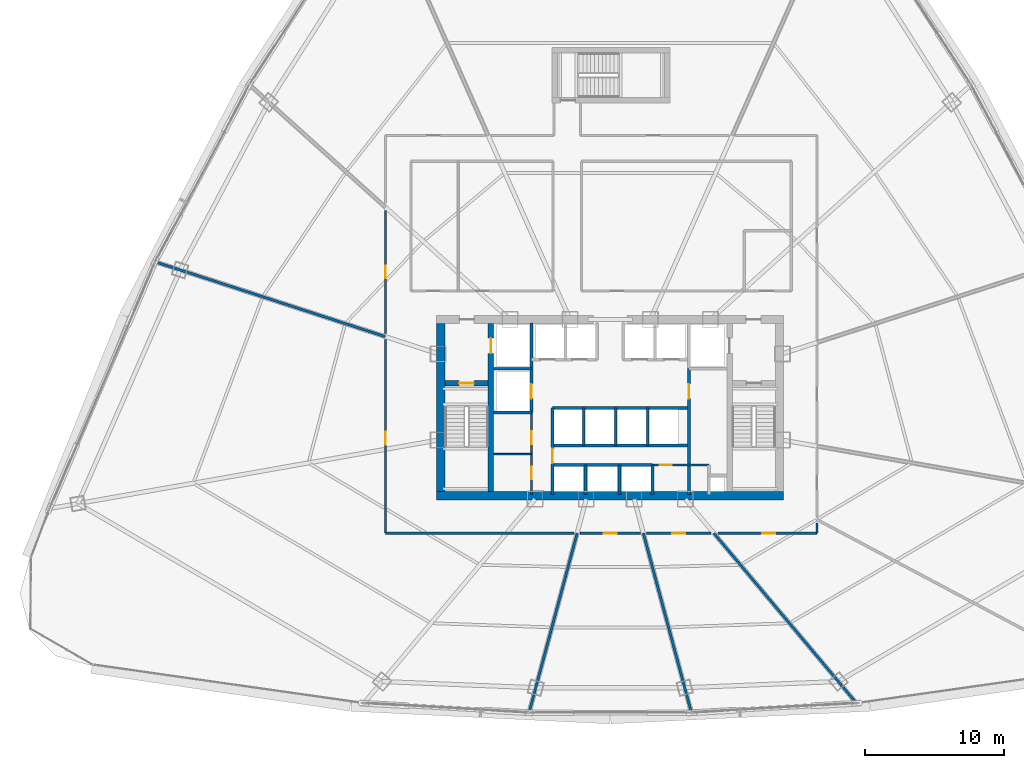
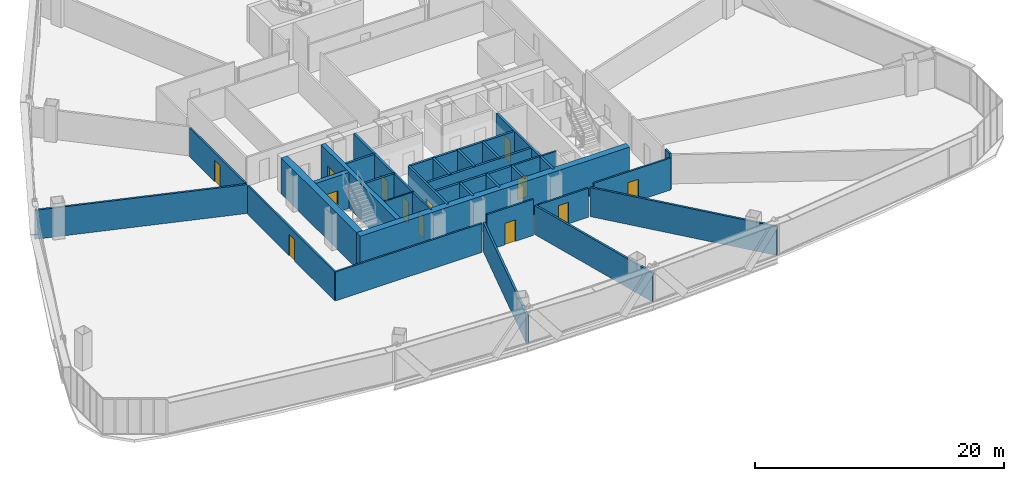
# One storey, part 32 of 39: 32 walls, 13 doors, 13 openings.
"""IFC4 building model written with IfcOpenShell, lengths in metres."""

from ifc_helpers import new_model, si_unit, direction, frame, frame_2d, origin, origin_with_axes, place, context, subcontext, project, spatial, rectangle, extrude, source, transform, mapped, material, layer, layer_set, type_object, element, fill, save


model = new_model("IFC4")

# Units and contexts
model_context = context("Model", 3, precision=1e-05, world=origin(), true_north=direction((0.0, 1.0)))
body_context = subcontext(model_context, "Body", "Model", "MODEL_VIEW")
ifc_project = project(units=[si_unit("LENGTHUNIT", "METRE"), si_unit("AREAUNIT", "SQUARE_METRE"), si_unit("VOLUMEUNIT", "CUBIC_METRE"), si_unit("PLANEANGLEUNIT", "RADIAN"), si_unit("MASSUNIT", "GRAM", prefix="KILO"), si_unit("THERMODYNAMICTEMPERATUREUNIT", "KELVIN"), si_unit("POWERUNIT", "WATT")], contexts=[model_context])

# Site, building, storey
site_placement = place(None, origin())
site = spatial("IfcSite", under=ifc_project, at=site_placement, CompositionType="ELEMENT")
building_placement = place(site_placement, origin())
building = spatial("IfcBuilding", under=site, at=building_placement, Name="Yunzhuo Pagoda Commons", CompositionType="ELEMENT")
storey_placement = place(building_placement, frame((0.0, 0.0, 92.580078125)))
storey = spatial("IfcBuildingStorey", under=building, at=storey_placement, Name="L23", CompositionType="ELEMENT", Elevation=92.580078125)

# Walls
ifc_material_1 = material(Name="Concrete C60", Category="concrete")
ifc_layer_1 = layer(ifc_material_1, 0.60009765625)
ifc_layer_set_1 = layer_set([ifc_layer_1], Name="Concrete C60")
wall_type_1 = type_object("IfcWallType", Name="W-C02 Mid Core Shear Wall 600", PredefinedType="SHEAR", material=ifc_layer_set_1)
wall_1_placement = place(storey_placement, frame((35.5, 27.5, 0.0), z_axis=(0.0, 0.0, 1.0), x_axis=(1.0, 0.0, 0.0)))
element("IfcWall", 1, at=wall_1_placement, inside=storey, type_object=wall_type_1, Name="L23 core shear wall S", PredefinedType="SHEAR", context=body_context, shape_type="SweptSolid", body=[
    extrude(rectangle(XDim=25.0, YDim=0.60009765625, at=frame_2d((12.5, 0.0))), origin(), (0.0, 0.0, 1.0), 3.5400390625),
])
wall_2_placement = place(storey_placement, frame((35.800048828125, 27.800048828125, 0.0), z_axis=(0.0, 0.0, 1.0), x_axis=(0.0, 1.0, 0.0)))
element("IfcWall", 2, at=wall_2_placement, inside=storey, type_object=wall_type_1, Name="L23 core shear wall W", PredefinedType="SHEAR", context=body_context, shape_type="SweptSolid", body=[
    extrude(rectangle(XDim=12.099853515625, YDim=0.60009765625, at=frame_2d((6.0498046875, 0.0))), origin(), (0.0, 0.0, 1.0), 3.5400390625),
])

# Wall, openings, doors
ifc_material_2 = material(Name="Gypsum plasterboard on acoustic stud")
ifc_layer_2 = layer(ifc_material_2, 0.159912109375)
ifc_layer_set_2 = layer_set([ifc_layer_2], Name="Gypsum plasterboard on acoustic stud")
wall_type_2 = type_object("IfcWallType", Name="W-COR1 Tower Rated Corridor Wall 160", PredefinedType="PARTITIONING", material=ifc_layer_set_2)
wall_3_placement = place(storey_placement, frame((42.320068359375, 27.60009765625, 0.0), z_axis=(0.0, 0.0, 1.0), x_axis=(0.0, 1.0, 0.0)))
wall_3 = element("IfcWall", 3, at=wall_3_placement, inside=storey, type_object=wall_type_2, Name="L23 interior wall IW-L23-CSWE", PredefinedType="PARTITIONING", context=body_context, shape_type="SweptSolid", body=[
    extrude(rectangle(XDim=5.89990234375, YDim=0.159912109375, at=frame_2d((2.949951171875, 0.0))), origin(), (0.0, 0.0, 1.0), 3.5400390625),
])
opening_1_placement = place(wall_3_placement, frame((1.10009765625, 0.0, 0.0)))
opening_1 = element("IfcOpeningElement", 4, at=opening_1_placement, cuts=wall_3, Name="Opening D-03", PredefinedType="OPENING", context=body_context, shape_type="SweptSolid", body=[
    extrude(rectangle(XDim=0.89990234375, YDim=2.10009765625, at=frame_2d((0.449951171875, 1.050048828125))), frame((0.0, 0.08984375, 0.0), z_axis=(0.0, -1.0, 0.0), x_axis=(1.0, 0.0, 0.0)), (0.0, 0.0, 1.0), 0.179931640625),
])
opening_2_placement = place(wall_3_placement, frame((3.60009765625, 0.0, 0.0)))
opening_2 = element("IfcOpeningElement", 5, at=opening_2_placement, cuts=wall_3, Name="Opening D-11", PredefinedType="OPENING", context=body_context, shape_type="SweptSolid", body=[
    extrude(rectangle(XDim=0.93994140625, YDim=2.10009765625, at=frame_2d((0.469970703125, 1.050048828125))), frame((0.0, 0.08984375, 0.0), z_axis=(0.0, -1.0, 0.0), x_axis=(1.0, 0.0, 0.0)), (0.0, 0.0, 1.0), 0.179931640625),
])
ifc_material_3 = material(Name="Galvanized fire-resisting metal leaf")
door_type_1 = type_object("IfcDoorType", Name="D-03 Core Service Fire Door 900x2100", OperationType="NOTDEFINED", PredefinedType="DOOR", material=ifc_material_3)
shared_shape_1 = source(origin(), body_context, "Body", "SweptSolid", [
    extrude(rectangle(XDim=0.89990234375, YDim=2.10009765625, at=frame_2d((0.449951171875, 1.050048828125))), frame((0.0, 0.02490234375, 0.0), z_axis=(0.0, -1.0, 0.0), x_axis=(1.0, 0.0, 0.0)), (0.0, 0.0, 1.0), 0.050048828125),
])
door_1_placement = place(opening_1_placement, origin_with_axes())
door_1 = element("IfcDoor", 6, at=door_1_placement, inside=storey, type_object=door_type_1, Name="L23 housekeeping door", OperationType="SINGLE_SWING_RIGHT", OverallHeight=2.10009765625, OverallWidth=0.89990234375, PredefinedType="DOOR", context=body_context, shape_type="MappedRepresentation", body=[
    mapped(shared_shape_1, transform((0.0, 0.0, 0.0), scale=1.0)),
])
fill(opening_1, door_1)
door_type_2 = type_object("IfcDoorType", Name="D-11 Accessible Washroom Fire Door 940x2100", OperationType="NOTDEFINED", PredefinedType="DOOR", material=ifc_material_3)
shared_shape_2 = source(origin(), body_context, "Body", "SweptSolid", [
    extrude(rectangle(XDim=0.93994140625, YDim=2.10009765625, at=frame_2d((0.469970703125, 1.050048828125))), frame((0.0, 0.02490234375, 0.0), z_axis=(0.0, -1.0, 0.0), x_axis=(1.0, 0.0, 0.0)), (0.0, 0.0, 1.0), 0.050048828125),
])
door_2_placement = place(opening_2_placement, origin_with_axes())
door_2 = element("IfcDoor", 7, at=door_2_placement, inside=storey, type_object=door_type_2, Name="L23 core WC door", OperationType="SINGLE_SWING_RIGHT", OverallHeight=2.10009765625, OverallWidth=0.93994140625, PredefinedType="DOOR", context=body_context, shape_type="MappedRepresentation", body=[
    mapped(shared_shape_2, transform((0.0, 0.0, 0.0), scale=1.0)),
])
fill(opening_2, door_2)

# Wall, opening, door
wall_4_placement = place(storey_placement, frame((51.050048828125, 29.719970703125, 0.0), z_axis=(0.0, 0.0, 1.0), x_axis=(1.0, 0.0, 0.0)))
wall_4 = element("IfcWall", 8, at=wall_4_placement, inside=storey, type_object=wall_type_2, Name="L23 interior wall IW-L23-CSES", PredefinedType="PARTITIONING", context=body_context, shape_type="SweptSolid", body=[
    extrude(rectangle(XDim=4.070068359375, YDim=0.159912109375, at=frame_2d((2.03515625, 0.0))), origin(), (0.0, 0.0, 1.0), 3.5400390625),
])
opening_3_placement = place(wall_4_placement, frame((0.5, 0.0, 0.0)))
opening_3 = element("IfcOpeningElement", 9, at=opening_3_placement, cuts=wall_4, Name="Opening D-03", PredefinedType="OPENING", context=body_context, shape_type="SweptSolid", body=[
    extrude(rectangle(XDim=0.89990234375, YDim=2.10009765625, at=frame_2d((0.449951171875, 1.050048828125))), frame((0.0, 0.08984375, 0.0), z_axis=(0.0, -1.0, 0.0), x_axis=(1.0, 0.0, 0.0)), (0.0, 0.0, 1.0), 0.179931640625),
])
door_3_placement = place(opening_3_placement, origin_with_axes())
door_3 = element("IfcDoor", 10, at=door_3_placement, inside=storey, type_object=door_type_1, Name="L23 IT closet door", OperationType="SINGLE_SWING_LEFT", OverallHeight=2.10009765625, OverallWidth=0.89990234375, PredefinedType="DOOR", context=body_context, shape_type="MappedRepresentation", body=[
    mapped(shared_shape_1, transform((0.0, 0.0, 0.0), scale=1.0)),
])
fill(opening_3, door_3)

wall_5_placement = place(storey_placement, frame((31.800048828125, 24.800048828125, 0.0), z_axis=(0.0, 0.0, 1.0), x_axis=(0.0, 1.0, 0.0)))
wall_5 = element("IfcWall", 11, at=wall_5_placement, inside=storey, type_object=wall_type_2, Name="L23 interior wall IW-L23-CWL01", PredefinedType="PARTITIONING", context=body_context, shape_type="SweptSolid", body=[
    extrude(rectangle(XDim=13.94384765625, YDim=0.159912109375, at=frame_2d((6.971923828125, 0.0))), origin(), (0.0, 0.0, 1.0), 2.83984375),
])
opening_4_placement = place(wall_5_placement, frame((6.376953125, 0.0, 0.0)))
opening_4 = element("IfcOpeningElement", 12, at=opening_4_placement, cuts=wall_5, Name="Opening D-06", PredefinedType="OPENING", context=body_context, shape_type="SweptSolid", body=[
    extrude(rectangle(XDim=0.949951171875, YDim=2.10009765625, at=frame_2d((0.47509765625, 1.050048828125))), frame((0.0, 0.08984375, 0.0), z_axis=(0.0, -1.0, 0.0), x_axis=(1.0, 0.0, 0.0)), (0.0, 0.0, 1.0), 0.179931640625),
])
door_type_3 = type_object("IfcDoorType", Name="D-06 Co-Living Suite Entrance Fire Door 950x2100", OperationType="NOTDEFINED", PredefinedType="DOOR", material=ifc_material_3)
shared_shape_3 = source(origin(), body_context, "Body", "SweptSolid", [
    extrude(rectangle(XDim=0.949951171875, YDim=2.10009765625, at=frame_2d((0.47509765625, 1.050048828125))), frame((0.0, 0.02490234375, 0.0), z_axis=(0.0, -1.0, 0.0), x_axis=(1.0, 0.0, 0.0)), (0.0, 0.0, 1.0), 0.050048828125),
])
door_4_placement = place(opening_4_placement, origin_with_axes())
door_4 = element("IfcDoor", 13, at=door_4_placement, inside=storey, type_object=door_type_3, Name="L23 Resident Co-Living Commons Hall door", OperationType="SINGLE_SWING_LEFT", OverallHeight=2.10009765625, OverallWidth=0.949951171875, PredefinedType="DOOR", context=body_context, shape_type="MappedRepresentation", body=[
    mapped(shared_shape_3, transform((0.0, 0.0, 0.0), scale=1.0)),
])
fill(opening_4, door_4)

wall_6_placement = place(storey_placement, frame((31.800048828125, 39.195068359375, 0.0), z_axis=(0.0, 0.0, 1.0), x_axis=(0.0, 1.0, 0.0)))
wall_6 = element("IfcWall", 14, at=wall_6_placement, inside=storey, type_object=wall_type_2, Name="L23 interior wall IW-L23-CWL02", PredefinedType="PARTITIONING", context=body_context, shape_type="SweptSolid", body=[
    extrude(rectangle(XDim=8.871826171875, YDim=0.159912109375, at=frame_2d((4.43603515625, 0.0))), origin(), (0.0, 0.0, 1.0), 2.83984375),
])
opening_5_placement = place(wall_6_placement, frame((3.97021484375, 0.0, 0.0)))
opening_5 = element("IfcOpeningElement", 15, at=opening_5_placement, cuts=wall_6, Name="Opening D-04", PredefinedType="OPENING", context=body_context, shape_type="SweptSolid", body=[
    extrude(rectangle(XDim=0.919921875, YDim=2.10009765625, at=frame_2d((0.4599609375, 1.050048828125))), frame((0.0, 0.08984375, 0.0), z_axis=(0.0, -1.0, 0.0), x_axis=(1.0, 0.0, 0.0)), (0.0, 0.0, 1.0), 0.179931640625),
])
ifc_material_4 = material(Name="Powder-coated aluminium and timber acoustic leaf", Category="wood")
door_type_4 = type_object("IfcDoorType", Name="D-04 Bedroom & Study Interior Door 920x2100", OperationType="NOTDEFINED", PredefinedType="DOOR", material=ifc_material_4)
shared_shape_4 = source(origin(), body_context, "Body", "SweptSolid", [
    extrude(rectangle(XDim=0.919921875, YDim=2.10009765625, at=frame_2d((0.4599609375, 1.050048828125))), frame((0.0, 0.02490234375, 0.0), z_axis=(0.0, -1.0, 0.0), x_axis=(1.0, 0.0, 0.0)), (0.0, 0.0, 1.0), 0.050048828125),
])
door_5_placement = place(opening_5_placement, origin_with_axes())
door_5 = element("IfcDoor", 16, at=door_5_placement, inside=storey, type_object=door_type_4, Name="L23 seminar room 05 door", OperationType="SINGLE_SWING_RIGHT", OverallHeight=2.10009765625, OverallWidth=0.919921875, PredefinedType="DOOR", context=body_context, shape_type="MappedRepresentation", body=[
    mapped(shared_shape_4, transform((0.0, 0.0, 0.0), scale=1.0)),
])
fill(opening_5, door_5)

# Wall
wall_7_placement = place(storey_placement, frame((62.89990234375, 25.5283203125, 0.0), z_axis=(0.0, 0.0, 1.0), x_axis=(0.0, -1.0, 0.0)))
element("IfcWall", 17, at=wall_7_placement, inside=storey, type_object=wall_type_2, Name="L23 interior wall IW-L23-CWL13", PredefinedType="PARTITIONING", context=body_context, shape_type="SweptSolid", body=[
    extrude(rectangle(XDim=0.728271484375, YDim=0.159912109375, at=frame_2d((0.3642578125, 0.0))), origin(), (0.0, 0.0, 1.0), 3.5400390625),
])

# Wall, opening, door
wall_8_placement = place(storey_placement, frame((62.89990234375, 24.800048828125, 0.0), z_axis=(0.0, 0.0, 1.0), x_axis=(-1.0, 0.0, 0.0)))
wall_8 = element("IfcWall", 18, at=wall_8_placement, inside=storey, type_object=wall_type_2, Name="L23 interior wall IW-L23-CWL14", PredefinedType="PARTITIONING", context=body_context, shape_type="SweptSolid", body=[
    extrude(rectangle(XDim=7.144775390625, YDim=0.159912109375, at=frame_2d((3.572265625, 0.0))), origin(), (0.0, 0.0, 1.0), 3.139892578125),
])
opening_6_placement = place(wall_8_placement, frame((3.010986328125, 0.0, 0.0)))
opening_6 = element("IfcOpeningElement", 19, at=opening_6_placement, cuts=wall_8, Name="Opening D-06", PredefinedType="OPENING", context=body_context, shape_type="SweptSolid", body=[
    extrude(rectangle(XDim=0.949951171875, YDim=2.10009765625, at=frame_2d((0.47509765625, 1.050048828125))), frame((0.0, 0.08984375, 0.0), z_axis=(0.0, -1.0, 0.0), x_axis=(1.0, 0.0, 0.0)), (0.0, 0.0, 1.0), 0.179931640625),
])
door_6_placement = place(opening_6_placement, origin_with_axes())
door_6 = element("IfcDoor", 20, at=door_6_placement, inside=storey, type_object=door_type_3, Name="L23 unit 09 entrance door", OperationType="SINGLE_SWING_RIGHT", OverallHeight=2.10009765625, OverallWidth=0.949951171875, PredefinedType="DOOR", context=body_context, shape_type="MappedRepresentation", body=[
    mapped(shared_shape_3, transform((0.0, 0.0, 0.0), scale=1.0)),
])
fill(opening_6, door_6)

wall_9_placement = place(storey_placement, frame((55.248046875, 24.800048828125, 0.0), z_axis=(0.0, 0.0, 1.0), x_axis=(-1.0, 0.0, 0.0)))
wall_9 = element("IfcWall", 21, at=wall_9_placement, inside=storey, type_object=wall_type_2, Name="L23 interior wall IW-L23-CWL15", PredefinedType="PARTITIONING", context=body_context, shape_type="SweptSolid", body=[
    extrude(rectangle(XDim=4.635498046875, YDim=0.159912109375, at=frame_2d((2.31787109375, 0.0))), origin(), (0.0, 0.0, 1.0), 2.83984375),
])
opening_7_placement = place(wall_9_placement, frame((1.8466796875, 0.0, 0.0)))
opening_7 = element("IfcOpeningElement", 22, at=opening_7_placement, cuts=wall_9, Name="Opening D-06", PredefinedType="OPENING", context=body_context, shape_type="SweptSolid", body=[
    extrude(rectangle(XDim=0.949951171875, YDim=2.10009765625, at=frame_2d((0.47509765625, 1.050048828125))), frame((0.0, 0.08984375, 0.0), z_axis=(0.0, -1.0, 0.0), x_axis=(1.0, 0.0, 0.0)), (0.0, 0.0, 1.0), 0.179931640625),
])
door_7_placement = place(opening_7_placement, origin_with_axes())
door_7 = element("IfcDoor", 23, at=door_7_placement, inside=storey, type_object=door_type_3, Name="L23 unit 08 entrance door", OperationType="SINGLE_SWING_LEFT", OverallHeight=2.10009765625, OverallWidth=0.949951171875, PredefinedType="DOOR", context=body_context, shape_type="MappedRepresentation", body=[
    mapped(shared_shape_3, transform((0.0, 0.0, 0.0), scale=1.0)),
])
fill(opening_7, door_7)

wall_10_placement = place(storey_placement, frame((50.164794921875, 24.800048828125, 0.0), z_axis=(0.0, 0.0, 1.0), x_axis=(-1.0, 0.0, 0.0)))
wall_10 = element("IfcWall", 24, at=wall_10_placement, inside=storey, type_object=wall_type_2, Name="L23 interior wall IW-L23-CWL16", PredefinedType="PARTITIONING", context=body_context, shape_type="SweptSolid", body=[
    extrude(rectangle(XDim=4.32958984375, YDim=0.159912109375, at=frame_2d((2.164794921875, 0.0))), origin(), (0.0, 0.0, 1.0), 3.5400390625),
])
opening_8_placement = place(wall_10_placement, frame((1.68994140625, 0.0, 0.0)))
opening_8 = element("IfcOpeningElement", 25, at=opening_8_placement, cuts=wall_10, Name="Opening D-06", PredefinedType="OPENING", context=body_context, shape_type="SweptSolid", body=[
    extrude(rectangle(XDim=0.949951171875, YDim=2.10009765625, at=frame_2d((0.47509765625, 1.050048828125))), frame((0.0, 0.08984375, 0.0), z_axis=(0.0, -1.0, 0.0), x_axis=(1.0, 0.0, 0.0)), (0.0, 0.0, 1.0), 0.179931640625),
])
door_8_placement = place(opening_8_placement, origin_with_axes())
door_8 = element("IfcDoor", 26, at=door_8_placement, inside=storey, type_object=door_type_3, Name="L23 unit 07 entrance door", OperationType="SINGLE_SWING_RIGHT", OverallHeight=2.10009765625, OverallWidth=0.949951171875, PredefinedType="DOOR", context=body_context, shape_type="MappedRepresentation", body=[
    mapped(shared_shape_3, transform((0.0, 0.0, 0.0), scale=1.0)),
])
fill(opening_8, door_8)

# Walls
wall_11_placement = place(storey_placement, frame((45.387451171875, 24.800048828125, 0.0), z_axis=(0.0, 0.0, 1.0), x_axis=(-1.0, 0.0, 0.0)))
element("IfcWall", 27, at=wall_11_placement, inside=storey, type_object=wall_type_2, Name="L23 interior wall IW-L23-CWL17", PredefinedType="PARTITIONING", context=body_context, shape_type="SweptSolid", body=[
    extrude(rectangle(XDim=13.58740234375, YDim=0.159912109375, at=frame_2d((6.793701171875, 0.0))), origin(), (0.0, 0.0, 1.0), 2.83984375),
])
ifc_layer_3 = layer(ifc_material_2, 0.1201171875)
ifc_layer_set_3 = layer_set([ifc_layer_3], Name="Gypsum plasterboard on acoustic stud")
wall_type_3 = type_object("IfcWallType", Name="W-PRT1 Suite & Bathroom Partition 120", PredefinedType="PARTITIONING", material=ifc_layer_set_3)
wall_12_placement = place(storey_placement, frame((39.60009765625, 30.5, 0.0), z_axis=(0.0, 0.0, 1.0), x_axis=(1.0, 0.0, 0.0)))
element("IfcWall", 28, at=wall_12_placement, inside=storey, type_object=wall_type_3, Name="L23 interior wall IW-L23-CB1", PredefinedType="PARTITIONING", context=body_context, shape_type="SweptSolid", body=[
    extrude(rectangle(XDim=2.719970703125, YDim=0.1201171875, at=frame_2d((1.35986328125, 0.0))), origin(), (0.0, 0.0, 1.0), 3.5400390625),
])
ifc_layer_4 = layer(ifc_material_2, 0.179931640625)
ifc_layer_set_4 = layer_set([ifc_layer_4], Name="Gypsum plasterboard on acoustic stud")
wall_type_4 = type_object("IfcWallType", Name="W-PRT2 Acoustic Unit Demising Wall 180", PredefinedType="PARTITIONING", material=ifc_layer_set_4)
wall_13_placement = place(storey_placement, frame((31.800048828125, 38.963623046875, 0.0), z_axis=(0.0, 0.0, 1.0), x_axis=(-0.951055348694, 0.309020587857, 0.0)))
element("IfcWall", 29, at=wall_13_placement, inside=storey, type_object=wall_type_4, Name="L23 interior wall IW-L23-RAD05", PredefinedType="PARTITIONING", context=body_context, shape_type="SweptSolid", body=[
    extrude(rectangle(XDim=17.450439453125, YDim=0.179931640625, at=frame_2d((8.72509765625, 0.0))), origin(), (0.0, 0.0, 1.0), 2.83984375),
])
for number, where, z_axis, x_axis, name in (
    (30, (45.615234375, 24.800048828125, 0.0), (0.0, 0.0, 1.0), (-0.258814147169, -0.965927138673, 0.0), "L23 interior wall IW-L23-RAD06"),
    (31, (50.384765625, 24.800048828125, 0.0), (0.0, 0.0, 1.0), (0.258814147169, -0.965927138673, 0.0), "L23 interior wall IW-L23-RAD07"),
):
    element("IfcWall", number, at=place(storey_placement, frame(where, z_axis=z_axis, x_axis=x_axis)), inside=storey, type_object=wall_type_4, Name=name, PredefinedType="PARTITIONING", context=body_context, shape_type="SweptSolid", body=[
        extrude(rectangle(XDim=13.39208984375, YDim=0.179931640625, at=frame_2d((6.696044921875, 0.0))), origin(), (0.0, 0.0, 1.0), 2.83984375),
    ])
wall_14_placement = place(storey_placement, frame((55.468017578125, 24.800048828125, 0.0), z_axis=(0.0, 0.0, 1.0), x_axis=(0.642790007557, -0.766042431061, 0.0)))
element("IfcWall", 32, at=wall_14_placement, inside=storey, type_object=wall_type_4, Name="L23 interior wall IW-L23-RAD08", PredefinedType="PARTITIONING", context=body_context, shape_type="SweptSolid", body=[
    extrude(rectangle(XDim=15.9951171875, YDim=0.179931640625, at=frame_2d((7.99755859375, 0.0))), origin(), (0.0, 0.0, 1.0), 2.83984375),
])

# Wall, opening, door
ifc_layer_5 = layer(ifc_material_1, 0.39990234375)
ifc_layer_set_5 = layer_set([ifc_layer_5], Name="Concrete C60")
wall_type_5 = type_object("IfcWallType", Name="W-S01 Internal Core Shear Web 400", PredefinedType="SHEAR", material=ifc_layer_set_5)
wall_15_placement = place(storey_placement, frame((39.39990234375, 27.800048828125, 0.0), z_axis=(0.0, 0.0, 1.0), x_axis=(0.0, 1.0, 0.0)))
wall_15 = element("IfcWall", 33, at=wall_15_placement, inside=storey, type_object=wall_type_5, Name="L23 core shear wall WEBW", PredefinedType="SHEAR", context=body_context, shape_type="SweptSolid", body=[
    extrude(rectangle(XDim=12.099853515625, YDim=0.39990234375, at=frame_2d((6.0498046875, 0.0))), origin(), (0.0, 0.0, 1.0), 3.5400390625),
])
opening_9_placement = place(wall_15_placement, frame((9.949951171875, 0.0, 0.0)))
opening_9 = element("IfcOpeningElement", 34, at=opening_9_placement, cuts=wall_15, Name="Opening LD-01", PredefinedType="OPENING", context=body_context, shape_type="SweptSolid", body=[
    extrude(rectangle(XDim=1.10009765625, YDim=2.10009765625, at=frame_2d((0.550048828125, 1.050048828125))), frame((0.0, 0.2099609375, 0.0), z_axis=(0.0, -1.0, 0.0), x_axis=(1.0, 0.0, 0.0)), (0.0, 0.0, 1.0), 0.419921875),
])
door_type_5 = type_object("IfcDoorType", Name="LD-01 Firefighting Lift Landing Door 1100x2100", OperationType="DOUBLE_DOOR_SLIDING", PredefinedType="DOOR", material=ifc_material_3)
shared_shape_5 = source(origin(), body_context, "Body", "SweptSolid", [
    extrude(rectangle(XDim=1.10009765625, YDim=2.10009765625, at=frame_2d((0.550048828125, 1.050048828125))), frame((0.0, 0.02490234375, 0.0), z_axis=(0.0, -1.0, 0.0), x_axis=(1.0, 0.0, 0.0)), (0.0, 0.0, 1.0), 0.050048828125),
])
door_9_placement = place(opening_9_placement, frame((1.10009765625, 0.0, 0.0), z_axis=(0.0, 0.0, 1.0), x_axis=(-1.0, 0.0, 0.0)))
door_9 = element("IfcDoor", 35, at=door_9_placement, inside=storey, type_object=door_type_5, Name="L23 Firefighting lift FL-1 landing door", OperationType="DOUBLE_DOOR_SLIDING", OverallHeight=2.10009765625, OverallWidth=1.10009765625, PredefinedType="DOOR", context=body_context, shape_type="MappedRepresentation", body=[
    mapped(shared_shape_5, transform((0.0, 0.0, 0.0), scale=1.0)),
])
fill(opening_9, door_9)

wall_16_placement = place(storey_placement, frame((36.10009765625, 35.60009765625, 0.0), z_axis=(0.0, 0.0, 1.0), x_axis=(1.0, 0.0, 0.0)))
wall_16 = element("IfcWall", 36, at=wall_16_placement, inside=storey, type_object=wall_type_5, Name="L23 core shear wall STW", PredefinedType="SHEAR", context=body_context, shape_type="SweptSolid", body=[
    extrude(rectangle(XDim=3.099853515625, YDim=0.39990234375, at=frame_2d((1.5498046875, 0.0))), origin(), (0.0, 0.0, 1.0), 3.5400390625),
])
opening_10_placement = place(wall_16_placement, frame((1.02001953125, 0.0, 0.0)))
opening_10 = element("IfcOpeningElement", 37, at=opening_10_placement, cuts=wall_16, Name="Opening D-01", PredefinedType="OPENING", context=body_context, shape_type="SweptSolid", body=[
    extrude(rectangle(XDim=1.050048828125, YDim=2.10009765625, at=frame_2d((0.52490234375, 1.050048828125))), frame((0.0, 0.2099609375, 0.0), z_axis=(0.0, -1.0, 0.0), x_axis=(1.0, 0.0, 0.0)), (0.0, 0.0, 1.0), 0.419921875),
])
door_type_6 = type_object("IfcDoorType", Name="D-01 Smokeproof Stair Fire Door 1050x2100", OperationType="NOTDEFINED", PredefinedType="DOOR", material=ifc_material_3)
shared_shape_6 = source(origin(), body_context, "Body", "SweptSolid", [
    extrude(rectangle(XDim=1.050048828125, YDim=2.10009765625, at=frame_2d((0.52490234375, 1.050048828125))), frame((0.0, 0.02490234375, 0.0), z_axis=(0.0, -1.0, 0.0), x_axis=(1.0, 0.0, 0.0)), (0.0, 0.0, 1.0), 0.050048828125),
])
door_10_placement = place(opening_10_placement, frame((1.050048828125, 0.0, 0.0), z_axis=(0.0, 0.0, 1.0), x_axis=(-1.0, 0.0, 0.0)))
door_10 = element("IfcDoor", 38, at=door_10_placement, inside=storey, type_object=door_type_6, Name="L23 Stair ST1 fire door", OperationType="SINGLE_SWING_LEFT", OverallHeight=2.10009765625, OverallWidth=1.050048828125, PredefinedType="DOOR", context=body_context, shape_type="MappedRepresentation", body=[
    mapped(shared_shape_6, transform((0.0, 0.0, 0.0), scale=1.0)),
])
fill(opening_10, door_10)

ifc_material_5 = material(Name="Concrete C40", Category="concrete")
ifc_layer_6 = layer(ifc_material_5, 0.199951171875)
ifc_layer_set_6 = layer_set([ifc_layer_6], Name="Concrete C40")
wall_type_6 = type_object("IfcWallType", Name="W-SHF Shaft & Stair Enclosure Wall 200", PredefinedType="SOLIDWALL", material=ifc_layer_set_6)
wall_17_placement = place(storey_placement, frame((42.320068359375, 33.5, 0.0), z_axis=(0.0, 0.0, 1.0), x_axis=(0.0, 1.0, 0.0)))
wall_17 = element("IfcWall", 39, at=wall_17_placement, inside=storey, type_object=wall_type_6, Name="L23 interior wall IW-L23-FL1E", PredefinedType="SOLIDWALL", context=body_context, shape_type="SweptSolid", body=[
    extrude(rectangle(XDim=6.449951171875, YDim=0.199951171875, at=frame_2d((3.22509765625, 0.0))), origin(), (0.0, 0.0, 1.0), 3.5400390625),
])
opening_11_placement = place(wall_17_placement, frame((1.0, 0.0, 0.0)))
opening_11 = element("IfcOpeningElement", 40, at=opening_11_placement, cuts=wall_17, Name="Opening LD-02", PredefinedType="OPENING", context=body_context, shape_type="SweptSolid", body=[
    extrude(rectangle(XDim=1.050048828125, YDim=2.10009765625, at=frame_2d((0.52490234375, 1.050048828125))), frame((0.0, 0.10986328125, 0.0), z_axis=(0.0, -1.0, 0.0), x_axis=(1.0, 0.0, 0.0)), (0.0, 0.0, 1.0), 0.219970703125),
])
door_type_7 = type_object("IfcDoorType", Name="LD-02 Passenger Lift Landing Door 1050x2100", OperationType="DOUBLE_DOOR_SLIDING", PredefinedType="DOOR", material=ifc_material_3)
door_11_placement = place(opening_11_placement, origin_with_axes())
door_11 = element("IfcDoor", 41, at=door_11_placement, inside=storey, type_object=door_type_7, Name="L23 Service lift SL-1 landing door", OperationType="DOUBLE_DOOR_SLIDING", OverallHeight=2.10009765625, OverallWidth=1.050048828125, PredefinedType="DOOR", context=body_context, shape_type="MappedRepresentation", body=[
    mapped(shared_shape_6, transform((0.0, 0.0, 0.0), scale=1.0)),
])
fill(opening_11, door_11)

# Walls
for number, where, z_axis, x_axis, name in (
    (42, (39.60009765625, 36.64990234375, 0.0), (0.0, 0.0, 1.0), (1.0, 0.0, 0.0), "L23 interior wall IW-L23-FL1S"),
    (43, (39.60009765625, 33.5, 0.0), (0.0, 0.0, 1.0), (1.0, 0.0, 0.0), "L23 interior wall IW-L23-SL1S"),
):
    element("IfcWall", number, at=place(storey_placement, frame(where, z_axis=z_axis, x_axis=x_axis)), inside=storey, type_object=wall_type_6, Name=name, PredefinedType="SOLIDWALL", context=body_context, shape_type="SweptSolid", body=[
        extrude(rectangle(XDim=2.719970703125, YDim=0.199951171875, at=frame_2d((1.35986328125, 0.0))), origin(), (0.0, 0.0, 1.0), 3.5400390625),
    ])
wall_18_placement = place(storey_placement, frame((43.85009765625, 33.820068359375, 0.0), z_axis=(0.0, 0.0, 1.0), x_axis=(1.0, 0.0, 0.0)))
element("IfcWall", 44, at=wall_18_placement, inside=storey, type_object=wall_type_6, Name="L23 interior wall IW-L23-MLBS", PredefinedType="SOLIDWALL", context=body_context, shape_type="SweptSolid", body=[
    extrude(rectangle(XDim=9.829833984375, YDim=0.199951171875, at=frame_2d((4.9150390625, 0.0))), origin(), (0.0, 0.0, 1.0), 3.5400390625),
])

# Wall, opening, door
wall_19_placement = place(storey_placement, frame((43.85009765625, 27.60009765625, 0.0), z_axis=(0.0, 0.0, 1.0), x_axis=(0.0, 1.0, 0.0)))
wall_19 = element("IfcWall", 45, at=wall_19_placement, inside=storey, type_object=wall_type_6, Name="L23 interior wall IW-L23-PLMW", PredefinedType="SOLIDWALL", context=body_context, shape_type="SweptSolid", body=[
    extrude(rectangle(XDim=6.219970703125, YDim=0.199951171875, at=frame_2d((3.10986328125, 0.0))), origin(), (0.0, 0.0, 1.0), 3.5400390625),
])
opening_12_placement = place(wall_19_placement, frame((2.25, 0.0, 0.0)))
opening_12 = element("IfcOpeningElement", 46, at=opening_12_placement, cuts=wall_19, Name="Opening D-02", PredefinedType="OPENING", context=body_context, shape_type="SweptSolid", body=[
    extrude(rectangle(XDim=1.050048828125, YDim=2.10009765625, at=frame_2d((0.52490234375, 1.050048828125))), frame((0.0, 0.10986328125, 0.0), z_axis=(0.0, -1.0, 0.0), x_axis=(1.0, 0.0, 0.0)), (0.0, 0.0, 1.0), 0.219970703125),
])
door_type_8 = type_object("IfcDoorType", Name="D-02 Firefighting Lobby & Refuge Fire Door 1050x2100", OperationType="NOTDEFINED", PredefinedType="DOOR", material=ifc_material_3)
door_12_placement = place(opening_12_placement, frame((1.050048828125, 0.0, 0.0), z_axis=(0.0, 0.0, 1.0), x_axis=(-1.0, 0.0, 0.0)))
door_12 = element("IfcDoor", 47, at=door_12_placement, inside=storey, type_object=door_type_8, Name="L23 High-bank hall west door", OperationType="SINGLE_SWING_LEFT", OverallHeight=2.10009765625, OverallWidth=1.050048828125, PredefinedType="DOOR", context=body_context, shape_type="MappedRepresentation", body=[
    mapped(shared_shape_6, transform((0.0, 0.0, 0.0), scale=1.0)),
])
fill(opening_12, door_12)

wall_20_placement = place(storey_placement, frame((53.679931640625, 27.60009765625, 0.0), z_axis=(0.0, 0.0, 1.0), x_axis=(0.0, 1.0, 0.0)))
wall_20 = element("IfcWall", 48, at=wall_20_placement, inside=storey, type_object=wall_type_6, Name="L23 interior wall IW-L23-PLME", PredefinedType="SOLIDWALL", context=body_context, shape_type="SweptSolid", body=[
    extrude(rectangle(XDim=9.0498046875, YDim=0.199951171875, at=frame_2d((4.52490234375, 0.0))), origin(), (0.0, 0.0, 1.0), 3.5400390625),
])
opening_13_placement = place(wall_20_placement, frame((6.89990234375, 0.0, 0.0)))
opening_13 = element("IfcOpeningElement", 49, at=opening_13_placement, cuts=wall_20, Name="Opening D-02", PredefinedType="OPENING", context=body_context, shape_type="SweptSolid", body=[
    extrude(rectangle(XDim=1.050048828125, YDim=2.10009765625, at=frame_2d((0.52490234375, 1.050048828125))), frame((0.0, 0.10986328125, 0.0), z_axis=(0.0, -1.0, 0.0), x_axis=(1.0, 0.0, 0.0)), (0.0, 0.0, 1.0), 0.219970703125),
])
door_13_placement = place(opening_13_placement, origin_with_axes())
door_13 = element("IfcDoor", 50, at=door_13_placement, inside=storey, type_object=door_type_8, Name="L23 High-bank lift hall door", OperationType="SINGLE_SWING_RIGHT", OverallHeight=2.10009765625, OverallWidth=1.050048828125, PredefinedType="DOOR", context=body_context, shape_type="MappedRepresentation", body=[
    mapped(shared_shape_6, transform((0.0, 0.0, 0.0), scale=1.0)),
])
fill(opening_13, door_13)

# Walls
for number, where, z_axis, x_axis, name in (
    (51, (46.10009765625, 31.1201171875, 0.0), (0.0, 0.0, 1.0), (0.0, 1.0, 0.0), "L23 interior wall IW-L23-PLMD1"),
    (52, (48.39990234375, 31.1201171875, 0.0), (0.0, 0.0, 1.0), (0.0, 1.0, 0.0), "L23 interior wall IW-L23-PLMD2"),
    (53, (50.699951171875, 31.1201171875, 0.0), (0.0, 0.0, 1.0), (0.0, 1.0, 0.0), "L23 interior wall IW-L23-PLMD3"),
):
    element("IfcWall", number, at=place(storey_placement, frame(where, z_axis=z_axis, x_axis=x_axis)), inside=storey, type_object=wall_type_6, Name=name, PredefinedType="SOLIDWALL", context=body_context, shape_type="SweptSolid", body=[
        extrude(rectangle(XDim=2.699951171875, YDim=0.199951171875, at=frame_2d((1.35009765625, 0.0))), origin(), (0.0, 0.0, 1.0), 3.5400390625),
    ])
wall_21_placement = place(storey_placement, frame((43.85009765625, 29.719970703125, 0.0), z_axis=(0.0, 0.0, 1.0), x_axis=(1.0, 0.0, 0.0)))
element("IfcWall", 54, at=wall_21_placement, inside=storey, type_object=wall_type_6, Name="L23 interior wall IW-L23-PLHN", PredefinedType="SOLIDWALL", context=body_context, shape_type="SweptSolid", body=[
    extrude(rectangle(XDim=7.199951171875, YDim=0.199951171875, at=frame_2d((3.60009765625, 0.0))), origin(), (0.0, 0.0, 1.0), 3.5400390625),
])
wall_22_placement = place(storey_placement, frame((51.050048828125, 27.60009765625, 0.0), z_axis=(0.0, 0.0, 1.0), x_axis=(0.0, 1.0, 0.0)))
element("IfcWall", 55, at=wall_22_placement, inside=storey, type_object=wall_type_6, Name="L23 interior wall IW-L23-PLHE", PredefinedType="SOLIDWALL", context=body_context, shape_type="SweptSolid", body=[
    extrude(rectangle(XDim=2.119873046875, YDim=0.199951171875, at=frame_2d((1.06005859375, 0.0))), origin(), (0.0, 0.0, 1.0), 3.5400390625),
])
wall_23_placement = place(storey_placement, frame((43.85009765625, 31.1201171875, 0.0), z_axis=(0.0, 0.0, 1.0), x_axis=(1.0, 0.0, 0.0)))
element("IfcWall", 56, at=wall_23_placement, inside=storey, type_object=wall_type_6, Name="L23 interior wall IW-L23-PLMS2", PredefinedType="SOLIDWALL", context=body_context, shape_type="SweptSolid", body=[
    extrude(rectangle(XDim=9.829833984375, YDim=0.199951171875, at=frame_2d((4.9150390625, 0.0))), origin(), (0.0, 0.0, 1.0), 3.5400390625),
])
for number, where, z_axis, x_axis, name in (
    (57, (46.22509765625, 27.60009765625, 0.0), (0.0, 0.0, 1.0), (0.0, 1.0, 0.0), "L23 interior wall IW-L23-PLHD1"),
    (58, (48.675048828125, 27.60009765625, 0.0), (0.0, 0.0, 1.0), (0.0, 1.0, 0.0), "L23 interior wall IW-L23-PLHD2"),
):
    element("IfcWall", number, at=place(storey_placement, frame(where, z_axis=z_axis, x_axis=x_axis)), inside=storey, type_object=wall_type_6, Name=name, PredefinedType="SOLIDWALL", context=body_context, shape_type="SweptSolid", body=[
        extrude(rectangle(XDim=2.119873046875, YDim=0.199951171875, at=frame_2d((1.06005859375, 0.0))), origin(), (0.0, 0.0, 1.0), 3.5400390625),
    ])

save(model, "model.ifc")
